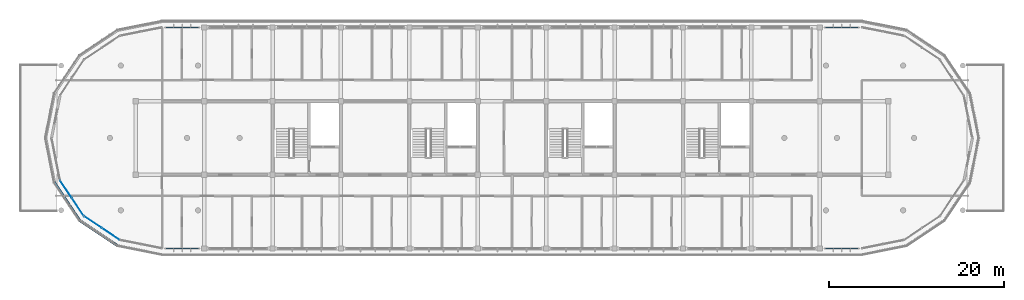
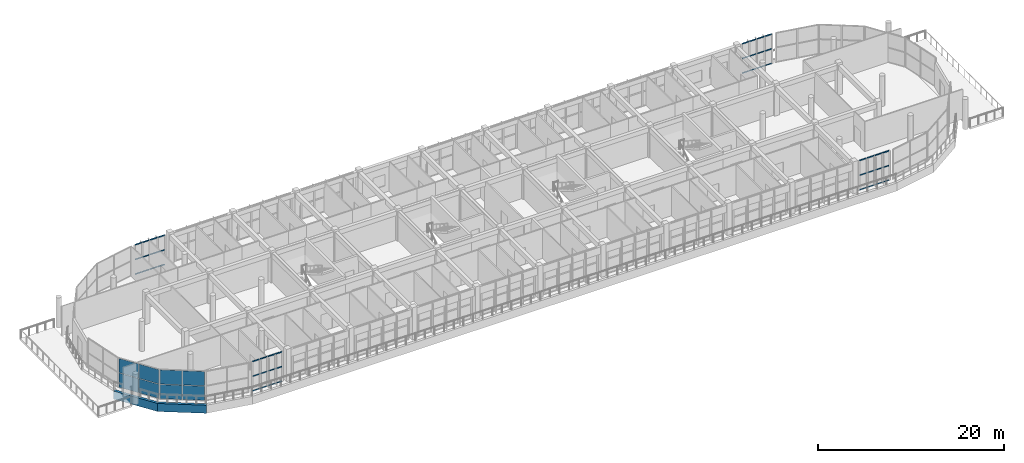
# One storey, part 35 of 56: 48 members, 10 plates, 6 elements without a shape of their own.
"""IFC4 building model written with IfcOpenShell, lengths in metres."""

from ifc_helpers import new_model, si_unit, direction, frame, origin, origin_2d, place, context, subcontext, project, spatial, polyline, rectangle, hollow_rectangle, outline, extrude, material, layer, layer_set, material_profile, profile_set, type_object, element, aggregate, save


model = new_model("IFC4")

# Units and contexts
model_context = context("Model", 3, precision=1e-05, world=origin(), true_north=direction((0.0, 1.0)))
body_context = subcontext(model_context, "Body", "Model", "MODEL_VIEW")
ifc_project = project(units=[si_unit("LENGTHUNIT", "METRE"), si_unit("AREAUNIT", "SQUARE_METRE"), si_unit("VOLUMEUNIT", "CUBIC_METRE"), si_unit("PLANEANGLEUNIT", "RADIAN"), si_unit("MASSUNIT", "GRAM", prefix="KILO")], contexts=[model_context])

# Site, building, storey
site_placement = place(None, origin())
site = spatial("IfcSite", under=ifc_project, at=site_placement, CompositionType="ELEMENT")
building_placement = place(site_placement, origin())
building = spatial("IfcBuilding", under=site, at=building_placement, Name="Zizhar Promenade General Hospital", CompositionType="ELEMENT")
storey_placement = place(building_placement, frame((0.0, 0.0, 26.39990234375)))
storey = spatial("IfcBuildingStorey", under=building, at=storey_placement, Name="L06", CompositionType="ELEMENT", Elevation=26.39990234375)

# Curtain wall, members
ifc_material_1 = material(Name="Anodised aluminium 6063-T6 and low-E glass", Category="aluminium")
ifc_layer_1 = layer(ifc_material_1, 0.159912109375)
ifc_layer_set_1 = layer_set([ifc_layer_1], Name="Anodised aluminium 6063-T6 and low-E glass")
curtain_wall_type_1 = type_object("IfcCurtainWallType", Name="CW-WARD-RIB", PredefinedType="NOTDEFINED", material=ifc_layer_set_1)
curtain_wall_1_placement = place(storey_placement, origin())
curtain_wall_1 = element("IfcCurtainWall", 1, at=curtain_wall_1_placement, inside=storey, type_object=curtain_wall_type_1, Name="Ward Ribbon Curtain Wall L06-8-0", PredefinedType="NOTDEFINED")
ifc_material_2 = material(Name="Anodised aluminium 6063-T6", Category="aluminium")
ifc_material_profile = material_profile(ifc_material_2, hollow_rectangle(XDim=0.06005859375, YDim=0.14990234375, WallThickness=0.00390625, at=origin_2d()))
ifc_profile_set = profile_set([ifc_material_profile], Name="Anodised aluminium 6063-T6")
member_type = type_object("IfcMemberType", Name="CWT-ALU-150x60", PredefinedType="USERDEFINED", material=ifc_profile_set)
member_1_placement = place(storey_placement, frame((34.659912109375, 25.199951171875, 0.030029296875), z_axis=(1.0, 0.0, 0.0), x_axis=(0.0, 1.0, 0.0)))
member_1 = element("IfcMember", 2, at=member_1_placement, type_object=member_type, Name="CW-13 transom 1.1", ObjectType="TRANSOM", PredefinedType="USERDEFINED", context=body_context, shape_type="SweptSolid", body=[
    extrude(hollow_rectangle(XDim=0.06005859375, YDim=0.14990234375, WallThickness=0.00390625, at=origin_2d()), origin(), (0.0, 0.0, 1.0), 0.840087890625),
])
member_2_placement = place(storey_placement, frame((34.659912109375, 25.199951171875, 1.9501953125), z_axis=(1.0, 0.0, 0.0), x_axis=(0.0, 1.0, 0.0)))
member_2 = element("IfcMember", 3, at=member_2_placement, type_object=member_type, Name="CW-13 transom 1.2", ObjectType="TRANSOM", PredefinedType="USERDEFINED", context=body_context, shape_type="SweptSolid", body=[
    extrude(hollow_rectangle(XDim=0.06005859375, YDim=0.14990234375, WallThickness=0.00390625, at=origin_2d()), origin(), (0.0, 0.0, 1.0), 0.840087890625),
])
member_3_placement = place(storey_placement, frame((34.659912109375, 25.199951171875, 3.8701171875), z_axis=(1.0, 0.0, 0.0), x_axis=(0.0, 1.0, 0.0)))
member_3 = element("IfcMember", 4, at=member_3_placement, type_object=member_type, Name="CW-13 transom 1.3", ObjectType="TRANSOM", PredefinedType="USERDEFINED", context=body_context, shape_type="SweptSolid", body=[
    extrude(hollow_rectangle(XDim=0.06005859375, YDim=0.14990234375, WallThickness=0.00390625, at=origin_2d()), origin(), (0.0, 0.0, 1.0), 0.840087890625),
])
member_4_placement = place(storey_placement, frame((35.580078125, 25.199951171875, 0.030029296875), z_axis=(1.0, 0.0, 0.0), x_axis=(0.0, 1.0, 0.0)))
member_4 = element("IfcMember", 5, at=member_4_placement, type_object=member_type, Name="CW-13 transom 2.1", ObjectType="TRANSOM", PredefinedType="USERDEFINED", context=body_context, shape_type="SweptSolid", body=[
    extrude(hollow_rectangle(XDim=0.06005859375, YDim=0.14990234375, WallThickness=0.00390625, at=origin_2d()), origin(), (0.0, 0.0, 1.0), 0.8798828125),
])
member_5_placement = place(storey_placement, frame((35.580078125, 25.199951171875, 1.9501953125), z_axis=(1.0, 0.0, 0.0), x_axis=(0.0, 1.0, 0.0)))
member_5 = element("IfcMember", 6, at=member_5_placement, type_object=member_type, Name="CW-13 transom 2.2", ObjectType="TRANSOM", PredefinedType="USERDEFINED", context=body_context, shape_type="SweptSolid", body=[
    extrude(hollow_rectangle(XDim=0.06005859375, YDim=0.14990234375, WallThickness=0.00390625, at=origin_2d()), origin(), (0.0, 0.0, 1.0), 0.8798828125),
])
member_6_placement = place(storey_placement, frame((35.580078125, 25.199951171875, 3.8701171875), z_axis=(1.0, 0.0, 0.0), x_axis=(0.0, 1.0, 0.0)))
member_6 = element("IfcMember", 7, at=member_6_placement, type_object=member_type, Name="CW-13 transom 2.3", ObjectType="TRANSOM", PredefinedType="USERDEFINED", context=body_context, shape_type="SweptSolid", body=[
    extrude(hollow_rectangle(XDim=0.06005859375, YDim=0.14990234375, WallThickness=0.00390625, at=origin_2d()), origin(), (0.0, 0.0, 1.0), 0.8798828125),
])
member_7_placement = place(storey_placement, frame((36.5400390625, 25.199951171875, 0.030029296875), z_axis=(1.0, 0.0, 0.0), x_axis=(0.0, 1.0, 0.0)))
member_7 = element("IfcMember", 8, at=member_7_placement, type_object=member_type, Name="CW-13 transom 3.1", ObjectType="TRANSOM", PredefinedType="USERDEFINED", context=body_context, shape_type="SweptSolid", body=[
    extrude(hollow_rectangle(XDim=0.06005859375, YDim=0.14990234375, WallThickness=0.00390625, at=origin_2d()), origin(), (0.0, 0.0, 1.0), 0.8798828125),
])
member_8_placement = place(storey_placement, frame((36.5400390625, 25.199951171875, 1.9501953125), z_axis=(1.0, 0.0, 0.0), x_axis=(0.0, 1.0, 0.0)))
member_8 = element("IfcMember", 9, at=member_8_placement, type_object=member_type, Name="CW-13 transom 3.2", ObjectType="TRANSOM", PredefinedType="USERDEFINED", context=body_context, shape_type="SweptSolid", body=[
    extrude(hollow_rectangle(XDim=0.06005859375, YDim=0.14990234375, WallThickness=0.00390625, at=origin_2d()), origin(), (0.0, 0.0, 1.0), 0.8798828125),
])
member_9_placement = place(storey_placement, frame((36.5400390625, 25.199951171875, 3.8701171875), z_axis=(1.0, 0.0, 0.0), x_axis=(0.0, 1.0, 0.0)))
member_9 = element("IfcMember", 10, at=member_9_placement, type_object=member_type, Name="CW-13 transom 3.3", ObjectType="TRANSOM", PredefinedType="USERDEFINED", context=body_context, shape_type="SweptSolid", body=[
    extrude(hollow_rectangle(XDim=0.06005859375, YDim=0.14990234375, WallThickness=0.00390625, at=origin_2d()), origin(), (0.0, 0.0, 1.0), 0.8798828125),
])
member_10_placement = place(storey_placement, frame((37.5, 25.199951171875, 0.030029296875), z_axis=(1.0, 0.0, 0.0), x_axis=(0.0, 1.0, 0.0)))
member_10 = element("IfcMember", 11, at=member_10_placement, type_object=member_type, Name="CW-13 transom 4.1", ObjectType="TRANSOM", PredefinedType="USERDEFINED", context=body_context, shape_type="SweptSolid", body=[
    extrude(hollow_rectangle(XDim=0.06005859375, YDim=0.14990234375, WallThickness=0.00390625, at=origin_2d()), origin(), (0.0, 0.0, 1.0), 0.840087890625),
])
member_11_placement = place(storey_placement, frame((37.5, 25.199951171875, 1.9501953125), z_axis=(1.0, 0.0, 0.0), x_axis=(0.0, 1.0, 0.0)))
member_11 = element("IfcMember", 12, at=member_11_placement, type_object=member_type, Name="CW-13 transom 4.2", ObjectType="TRANSOM", PredefinedType="USERDEFINED", context=body_context, shape_type="SweptSolid", body=[
    extrude(hollow_rectangle(XDim=0.06005859375, YDim=0.14990234375, WallThickness=0.00390625, at=origin_2d()), origin(), (0.0, 0.0, 1.0), 0.840087890625),
])
member_12_placement = place(storey_placement, frame((37.5, 25.199951171875, 3.8701171875), z_axis=(1.0, 0.0, 0.0), x_axis=(0.0, 1.0, 0.0)))
member_12 = element("IfcMember", 13, at=member_12_placement, type_object=member_type, Name="CW-13 transom 4.3", ObjectType="TRANSOM", PredefinedType="USERDEFINED", context=body_context, shape_type="SweptSolid", body=[
    extrude(hollow_rectangle(XDim=0.06005859375, YDim=0.14990234375, WallThickness=0.00390625, at=origin_2d()), origin(), (0.0, 0.0, 1.0), 0.840087890625),
])
aggregate(curtain_wall_1, [member_1, member_2, member_3, member_4, member_5, member_6, member_7, member_8, member_9, member_10, member_11, member_12])

curtain_wall_2_placement = place(storey_placement, origin())
curtain_wall_2 = element("IfcCurtainWall", 14, at=curtain_wall_2_placement, inside=storey, type_object=curtain_wall_type_1, Name="Ward Ribbon Curtain Wall L06-8-10", PredefinedType="NOTDEFINED")
member_13_placement = place(storey_placement, frame((109.860107421875, 25.199951171875, 0.030029296875), z_axis=(1.0, 0.0, 0.0), x_axis=(0.0, 1.0, 0.0)))
member_13 = element("IfcMember", 15, at=member_13_placement, type_object=member_type, Name="CW-13 transom 1.1", ObjectType="TRANSOM", PredefinedType="USERDEFINED", context=body_context, shape_type="SweptSolid", body=[
    extrude(hollow_rectangle(XDim=0.06005859375, YDim=0.14990234375, WallThickness=0.00390625, at=origin_2d()), origin(), (0.0, 0.0, 1.0), 0.83984375),
])
member_14_placement = place(storey_placement, frame((109.860107421875, 25.199951171875, 1.9501953125), z_axis=(1.0, 0.0, 0.0), x_axis=(0.0, 1.0, 0.0)))
member_14 = element("IfcMember", 16, at=member_14_placement, type_object=member_type, Name="CW-13 transom 1.2", ObjectType="TRANSOM", PredefinedType="USERDEFINED", context=body_context, shape_type="SweptSolid", body=[
    extrude(hollow_rectangle(XDim=0.06005859375, YDim=0.14990234375, WallThickness=0.00390625, at=origin_2d()), origin(), (0.0, 0.0, 1.0), 0.83984375),
])
member_15_placement = place(storey_placement, frame((109.860107421875, 25.199951171875, 3.8701171875), z_axis=(1.0, 0.0, 0.0), x_axis=(0.0, 1.0, 0.0)))
member_15 = element("IfcMember", 17, at=member_15_placement, type_object=member_type, Name="CW-13 transom 1.3", ObjectType="TRANSOM", PredefinedType="USERDEFINED", context=body_context, shape_type="SweptSolid", body=[
    extrude(hollow_rectangle(XDim=0.06005859375, YDim=0.14990234375, WallThickness=0.00390625, at=origin_2d()), origin(), (0.0, 0.0, 1.0), 0.83984375),
])
member_16_placement = place(storey_placement, frame((110.780029296875, 25.199951171875, 0.030029296875), z_axis=(1.0, 0.0, 0.0), x_axis=(0.0, 1.0, 0.0)))
member_16 = element("IfcMember", 18, at=member_16_placement, type_object=member_type, Name="CW-13 transom 2.1", ObjectType="TRANSOM", PredefinedType="USERDEFINED", context=body_context, shape_type="SweptSolid", body=[
    extrude(hollow_rectangle(XDim=0.06005859375, YDim=0.14990234375, WallThickness=0.00390625, at=origin_2d()), origin(), (0.0, 0.0, 1.0), 0.8798828125),
])
member_17_placement = place(storey_placement, frame((110.780029296875, 25.199951171875, 1.9501953125), z_axis=(1.0, 0.0, 0.0), x_axis=(0.0, 1.0, 0.0)))
member_17 = element("IfcMember", 19, at=member_17_placement, type_object=member_type, Name="CW-13 transom 2.2", ObjectType="TRANSOM", PredefinedType="USERDEFINED", context=body_context, shape_type="SweptSolid", body=[
    extrude(hollow_rectangle(XDim=0.06005859375, YDim=0.14990234375, WallThickness=0.00390625, at=origin_2d()), origin(), (0.0, 0.0, 1.0), 0.8798828125),
])
member_18_placement = place(storey_placement, frame((110.780029296875, 25.199951171875, 3.8701171875), z_axis=(1.0, 0.0, 0.0), x_axis=(0.0, 1.0, 0.0)))
member_18 = element("IfcMember", 20, at=member_18_placement, type_object=member_type, Name="CW-13 transom 2.3", ObjectType="TRANSOM", PredefinedType="USERDEFINED", context=body_context, shape_type="SweptSolid", body=[
    extrude(hollow_rectangle(XDim=0.06005859375, YDim=0.14990234375, WallThickness=0.00390625, at=origin_2d()), origin(), (0.0, 0.0, 1.0), 0.8798828125),
])
member_19_placement = place(storey_placement, frame((111.739990234375, 25.199951171875, 0.030029296875), z_axis=(1.0, 0.0, 0.0), x_axis=(0.0, 1.0, 0.0)))
member_19 = element("IfcMember", 21, at=member_19_placement, type_object=member_type, Name="CW-13 transom 3.1", ObjectType="TRANSOM", PredefinedType="USERDEFINED", context=body_context, shape_type="SweptSolid", body=[
    extrude(hollow_rectangle(XDim=0.06005859375, YDim=0.14990234375, WallThickness=0.00390625, at=origin_2d()), origin(), (0.0, 0.0, 1.0), 0.880126953125),
])
member_20_placement = place(storey_placement, frame((111.739990234375, 25.199951171875, 1.9501953125), z_axis=(1.0, 0.0, 0.0), x_axis=(0.0, 1.0, 0.0)))
member_20 = element("IfcMember", 22, at=member_20_placement, type_object=member_type, Name="CW-13 transom 3.2", ObjectType="TRANSOM", PredefinedType="USERDEFINED", context=body_context, shape_type="SweptSolid", body=[
    extrude(hollow_rectangle(XDim=0.06005859375, YDim=0.14990234375, WallThickness=0.00390625, at=origin_2d()), origin(), (0.0, 0.0, 1.0), 0.880126953125),
])
member_21_placement = place(storey_placement, frame((111.739990234375, 25.199951171875, 3.8701171875), z_axis=(1.0, 0.0, 0.0), x_axis=(0.0, 1.0, 0.0)))
member_21 = element("IfcMember", 23, at=member_21_placement, type_object=member_type, Name="CW-13 transom 3.3", ObjectType="TRANSOM", PredefinedType="USERDEFINED", context=body_context, shape_type="SweptSolid", body=[
    extrude(hollow_rectangle(XDim=0.06005859375, YDim=0.14990234375, WallThickness=0.00390625, at=origin_2d()), origin(), (0.0, 0.0, 1.0), 0.880126953125),
])
member_22_placement = place(storey_placement, frame((112.699951171875, 25.199951171875, 0.030029296875), z_axis=(1.0, 0.0, 0.0), x_axis=(0.0, 1.0, 0.0)))
member_22 = element("IfcMember", 24, at=member_22_placement, type_object=member_type, Name="CW-13 transom 4.1", ObjectType="TRANSOM", PredefinedType="USERDEFINED", context=body_context, shape_type="SweptSolid", body=[
    extrude(hollow_rectangle(XDim=0.06005859375, YDim=0.14990234375, WallThickness=0.00390625, at=origin_2d()), origin(), (0.0, 0.0, 1.0), 0.840087890625),
])
member_23_placement = place(storey_placement, frame((112.699951171875, 25.199951171875, 1.9501953125), z_axis=(1.0, 0.0, 0.0), x_axis=(0.0, 1.0, 0.0)))
member_23 = element("IfcMember", 25, at=member_23_placement, type_object=member_type, Name="CW-13 transom 4.2", ObjectType="TRANSOM", PredefinedType="USERDEFINED", context=body_context, shape_type="SweptSolid", body=[
    extrude(hollow_rectangle(XDim=0.06005859375, YDim=0.14990234375, WallThickness=0.00390625, at=origin_2d()), origin(), (0.0, 0.0, 1.0), 0.840087890625),
])
member_24_placement = place(storey_placement, frame((112.699951171875, 25.199951171875, 3.8701171875), z_axis=(1.0, 0.0, 0.0), x_axis=(0.0, 1.0, 0.0)))
member_24 = element("IfcMember", 26, at=member_24_placement, type_object=member_type, Name="CW-13 transom 4.3", ObjectType="TRANSOM", PredefinedType="USERDEFINED", context=body_context, shape_type="SweptSolid", body=[
    extrude(hollow_rectangle(XDim=0.06005859375, YDim=0.14990234375, WallThickness=0.00390625, at=origin_2d()), origin(), (0.0, 0.0, 1.0), 0.840087890625),
])
aggregate(curtain_wall_2, [member_13, member_14, member_15, member_16, member_17, member_18, member_19, member_20, member_21, member_22, member_23, member_24])

curtain_wall_3_placement = place(storey_placement, origin())
curtain_wall_3 = element("IfcCurtainWall", 27, at=curtain_wall_3_placement, inside=storey, type_object=curtain_wall_type_1, Name="Ward Ribbon Curtain Wall L06-17-0", PredefinedType="NOTDEFINED")
member_25_placement = place(storey_placement, frame((113.5400390625, 0.0, 0.030029296875), z_axis=(-1.0, 0.0, 0.0), x_axis=(0.0, -1.0, 0.0)))
member_25 = element("IfcMember", 28, at=member_25_placement, type_object=member_type, Name="CW-13 transom 1.1", ObjectType="TRANSOM", PredefinedType="USERDEFINED", context=body_context, shape_type="SweptSolid", body=[
    extrude(hollow_rectangle(XDim=0.06005859375, YDim=0.14990234375, WallThickness=0.00390625, at=origin_2d()), origin(), (0.0, 0.0, 1.0), 0.840087890625),
])
member_26_placement = place(storey_placement, frame((113.5400390625, 0.0, 1.9501953125), z_axis=(-1.0, 0.0, 0.0), x_axis=(0.0, -1.0, 0.0)))
member_26 = element("IfcMember", 29, at=member_26_placement, type_object=member_type, Name="CW-13 transom 1.2", ObjectType="TRANSOM", PredefinedType="USERDEFINED", context=body_context, shape_type="SweptSolid", body=[
    extrude(hollow_rectangle(XDim=0.06005859375, YDim=0.14990234375, WallThickness=0.00390625, at=origin_2d()), origin(), (0.0, 0.0, 1.0), 0.840087890625),
])
member_27_placement = place(storey_placement, frame((113.5400390625, 0.0, 3.8701171875), z_axis=(-1.0, 0.0, 0.0), x_axis=(0.0, -1.0, 0.0)))
member_27 = element("IfcMember", 30, at=member_27_placement, type_object=member_type, Name="CW-13 transom 1.3", ObjectType="TRANSOM", PredefinedType="USERDEFINED", context=body_context, shape_type="SweptSolid", body=[
    extrude(hollow_rectangle(XDim=0.06005859375, YDim=0.14990234375, WallThickness=0.00390625, at=origin_2d()), origin(), (0.0, 0.0, 1.0), 0.840087890625),
])
member_28_placement = place(storey_placement, frame((112.6201171875, 0.0, 0.030029296875), z_axis=(-1.0, 0.0, 0.0), x_axis=(0.0, -1.0, 0.0)))
member_28 = element("IfcMember", 31, at=member_28_placement, type_object=member_type, Name="CW-13 transom 2.1", ObjectType="TRANSOM", PredefinedType="USERDEFINED", context=body_context, shape_type="SweptSolid", body=[
    extrude(hollow_rectangle(XDim=0.06005859375, YDim=0.14990234375, WallThickness=0.00390625, at=origin_2d()), origin(), (0.0, 0.0, 1.0), 0.880126953125),
])
member_29_placement = place(storey_placement, frame((112.6201171875, 0.0, 1.9501953125), z_axis=(-1.0, 0.0, 0.0), x_axis=(0.0, -1.0, 0.0)))
member_29 = element("IfcMember", 32, at=member_29_placement, type_object=member_type, Name="CW-13 transom 2.2", ObjectType="TRANSOM", PredefinedType="USERDEFINED", context=body_context, shape_type="SweptSolid", body=[
    extrude(hollow_rectangle(XDim=0.06005859375, YDim=0.14990234375, WallThickness=0.00390625, at=origin_2d()), origin(), (0.0, 0.0, 1.0), 0.880126953125),
])
member_30_placement = place(storey_placement, frame((112.6201171875, 0.0, 3.8701171875), z_axis=(-1.0, 0.0, 0.0), x_axis=(0.0, -1.0, 0.0)))
member_30 = element("IfcMember", 33, at=member_30_placement, type_object=member_type, Name="CW-13 transom 2.3", ObjectType="TRANSOM", PredefinedType="USERDEFINED", context=body_context, shape_type="SweptSolid", body=[
    extrude(hollow_rectangle(XDim=0.06005859375, YDim=0.14990234375, WallThickness=0.00390625, at=origin_2d()), origin(), (0.0, 0.0, 1.0), 0.880126953125),
])
member_31_placement = place(storey_placement, frame((111.659912109375, 0.0, 0.030029296875), z_axis=(-1.0, 0.0, 0.0), x_axis=(0.0, -1.0, 0.0)))
member_31 = element("IfcMember", 34, at=member_31_placement, type_object=member_type, Name="CW-13 transom 3.1", ObjectType="TRANSOM", PredefinedType="USERDEFINED", context=body_context, shape_type="SweptSolid", body=[
    extrude(hollow_rectangle(XDim=0.06005859375, YDim=0.14990234375, WallThickness=0.00390625, at=origin_2d()), origin(), (0.0, 0.0, 1.0), 0.8798828125),
])
member_32_placement = place(storey_placement, frame((111.659912109375, 0.0, 1.9501953125), z_axis=(-1.0, 0.0, 0.0), x_axis=(0.0, -1.0, 0.0)))
member_32 = element("IfcMember", 35, at=member_32_placement, type_object=member_type, Name="CW-13 transom 3.2", ObjectType="TRANSOM", PredefinedType="USERDEFINED", context=body_context, shape_type="SweptSolid", body=[
    extrude(hollow_rectangle(XDim=0.06005859375, YDim=0.14990234375, WallThickness=0.00390625, at=origin_2d()), origin(), (0.0, 0.0, 1.0), 0.8798828125),
])
member_33_placement = place(storey_placement, frame((111.659912109375, 0.0, 3.8701171875), z_axis=(-1.0, 0.0, 0.0), x_axis=(0.0, -1.0, 0.0)))
member_33 = element("IfcMember", 36, at=member_33_placement, type_object=member_type, Name="CW-13 transom 3.3", ObjectType="TRANSOM", PredefinedType="USERDEFINED", context=body_context, shape_type="SweptSolid", body=[
    extrude(hollow_rectangle(XDim=0.06005859375, YDim=0.14990234375, WallThickness=0.00390625, at=origin_2d()), origin(), (0.0, 0.0, 1.0), 0.8798828125),
])
member_34_placement = place(storey_placement, frame((110.699951171875, 0.0, 0.030029296875), z_axis=(-1.0, 0.0, 0.0), x_axis=(0.0, -1.0, 0.0)))
member_34 = element("IfcMember", 37, at=member_34_placement, type_object=member_type, Name="CW-13 transom 4.1", ObjectType="TRANSOM", PredefinedType="USERDEFINED", context=body_context, shape_type="SweptSolid", body=[
    extrude(hollow_rectangle(XDim=0.06005859375, YDim=0.14990234375, WallThickness=0.00390625, at=origin_2d()), origin(), (0.0, 0.0, 1.0), 0.83984375),
])
member_35_placement = place(storey_placement, frame((110.699951171875, 0.0, 1.9501953125), z_axis=(-1.0, 0.0, 0.0), x_axis=(0.0, -1.0, 0.0)))
member_35 = element("IfcMember", 38, at=member_35_placement, type_object=member_type, Name="CW-13 transom 4.2", ObjectType="TRANSOM", PredefinedType="USERDEFINED", context=body_context, shape_type="SweptSolid", body=[
    extrude(hollow_rectangle(XDim=0.06005859375, YDim=0.14990234375, WallThickness=0.00390625, at=origin_2d()), origin(), (0.0, 0.0, 1.0), 0.83984375),
])
member_36_placement = place(storey_placement, frame((110.699951171875, 0.0, 3.8701171875), z_axis=(-1.0, 0.0, 0.0), x_axis=(0.0, -1.0, 0.0)))
member_36 = element("IfcMember", 39, at=member_36_placement, type_object=member_type, Name="CW-13 transom 4.3", ObjectType="TRANSOM", PredefinedType="USERDEFINED", context=body_context, shape_type="SweptSolid", body=[
    extrude(hollow_rectangle(XDim=0.06005859375, YDim=0.14990234375, WallThickness=0.00390625, at=origin_2d()), origin(), (0.0, 0.0, 1.0), 0.83984375),
])
aggregate(curtain_wall_3, [member_25, member_26, member_27, member_28, member_29, member_30, member_31, member_32, member_33, member_34, member_35, member_36])

curtain_wall_4_placement = place(storey_placement, origin())
curtain_wall_4 = element("IfcCurtainWall", 40, at=curtain_wall_4_placement, inside=storey, type_object=curtain_wall_type_1, Name="Ward Ribbon Curtain Wall L06-17-10", PredefinedType="NOTDEFINED")
member_37_placement = place(storey_placement, frame((38.340087890625, 0.0, 0.030029296875), z_axis=(-1.0, 0.0, 0.0), x_axis=(0.0, -1.0, 0.0)))
member_37 = element("IfcMember", 41, at=member_37_placement, type_object=member_type, Name="CW-13 transom 1.1", ObjectType="TRANSOM", PredefinedType="USERDEFINED", context=body_context, shape_type="SweptSolid", body=[
    extrude(hollow_rectangle(XDim=0.06005859375, YDim=0.14990234375, WallThickness=0.00390625, at=origin_2d()), origin(), (0.0, 0.0, 1.0), 0.840087890625),
])
member_38_placement = place(storey_placement, frame((38.340087890625, 0.0, 1.9501953125), z_axis=(-1.0, 0.0, 0.0), x_axis=(0.0, -1.0, 0.0)))
member_38 = element("IfcMember", 42, at=member_38_placement, type_object=member_type, Name="CW-13 transom 1.2", ObjectType="TRANSOM", PredefinedType="USERDEFINED", context=body_context, shape_type="SweptSolid", body=[
    extrude(hollow_rectangle(XDim=0.06005859375, YDim=0.14990234375, WallThickness=0.00390625, at=origin_2d()), origin(), (0.0, 0.0, 1.0), 0.840087890625),
])
member_39_placement = place(storey_placement, frame((38.340087890625, 0.0, 3.8701171875), z_axis=(-1.0, 0.0, 0.0), x_axis=(0.0, -1.0, 0.0)))
member_39 = element("IfcMember", 43, at=member_39_placement, type_object=member_type, Name="CW-13 transom 1.3", ObjectType="TRANSOM", PredefinedType="USERDEFINED", context=body_context, shape_type="SweptSolid", body=[
    extrude(hollow_rectangle(XDim=0.06005859375, YDim=0.14990234375, WallThickness=0.00390625, at=origin_2d()), origin(), (0.0, 0.0, 1.0), 0.840087890625),
])
member_40_placement = place(storey_placement, frame((37.419921875, 0.0, 0.030029296875), z_axis=(-1.0, 0.0, 0.0), x_axis=(0.0, -1.0, 0.0)))
member_40 = element("IfcMember", 44, at=member_40_placement, type_object=member_type, Name="CW-13 transom 2.1", ObjectType="TRANSOM", PredefinedType="USERDEFINED", context=body_context, shape_type="SweptSolid", body=[
    extrude(hollow_rectangle(XDim=0.06005859375, YDim=0.14990234375, WallThickness=0.00390625, at=origin_2d()), origin(), (0.0, 0.0, 1.0), 0.8798828125),
])
member_41_placement = place(storey_placement, frame((37.419921875, 0.0, 1.9501953125), z_axis=(-1.0, 0.0, 0.0), x_axis=(0.0, -1.0, 0.0)))
member_41 = element("IfcMember", 45, at=member_41_placement, type_object=member_type, Name="CW-13 transom 2.2", ObjectType="TRANSOM", PredefinedType="USERDEFINED", context=body_context, shape_type="SweptSolid", body=[
    extrude(hollow_rectangle(XDim=0.06005859375, YDim=0.14990234375, WallThickness=0.00390625, at=origin_2d()), origin(), (0.0, 0.0, 1.0), 0.8798828125),
])
member_42_placement = place(storey_placement, frame((37.419921875, 0.0, 3.8701171875), z_axis=(-1.0, 0.0, 0.0), x_axis=(0.0, -1.0, 0.0)))
member_42 = element("IfcMember", 46, at=member_42_placement, type_object=member_type, Name="CW-13 transom 2.3", ObjectType="TRANSOM", PredefinedType="USERDEFINED", context=body_context, shape_type="SweptSolid", body=[
    extrude(hollow_rectangle(XDim=0.06005859375, YDim=0.14990234375, WallThickness=0.00390625, at=origin_2d()), origin(), (0.0, 0.0, 1.0), 0.8798828125),
])
member_43_placement = place(storey_placement, frame((36.4599609375, 0.0, 0.030029296875), z_axis=(-1.0, 0.0, 0.0), x_axis=(0.0, -1.0, 0.0)))
member_43 = element("IfcMember", 47, at=member_43_placement, type_object=member_type, Name="CW-13 transom 3.1", ObjectType="TRANSOM", PredefinedType="USERDEFINED", context=body_context, shape_type="SweptSolid", body=[
    extrude(hollow_rectangle(XDim=0.06005859375, YDim=0.14990234375, WallThickness=0.00390625, at=origin_2d()), origin(), (0.0, 0.0, 1.0), 0.8798828125),
])
member_44_placement = place(storey_placement, frame((36.4599609375, 0.0, 1.9501953125), z_axis=(-1.0, 0.0, 0.0), x_axis=(0.0, -1.0, 0.0)))
member_44 = element("IfcMember", 48, at=member_44_placement, type_object=member_type, Name="CW-13 transom 3.2", ObjectType="TRANSOM", PredefinedType="USERDEFINED", context=body_context, shape_type="SweptSolid", body=[
    extrude(hollow_rectangle(XDim=0.06005859375, YDim=0.14990234375, WallThickness=0.00390625, at=origin_2d()), origin(), (0.0, 0.0, 1.0), 0.8798828125),
])
member_45_placement = place(storey_placement, frame((36.4599609375, 0.0, 3.8701171875), z_axis=(-1.0, 0.0, 0.0), x_axis=(0.0, -1.0, 0.0)))
member_45 = element("IfcMember", 49, at=member_45_placement, type_object=member_type, Name="CW-13 transom 3.3", ObjectType="TRANSOM", PredefinedType="USERDEFINED", context=body_context, shape_type="SweptSolid", body=[
    extrude(hollow_rectangle(XDim=0.06005859375, YDim=0.14990234375, WallThickness=0.00390625, at=origin_2d()), origin(), (0.0, 0.0, 1.0), 0.8798828125),
])
member_46_placement = place(storey_placement, frame((35.5, 0.0, 0.030029296875), z_axis=(-1.0, 0.0, 0.0), x_axis=(0.0, -1.0, 0.0)))
member_46 = element("IfcMember", 50, at=member_46_placement, type_object=member_type, Name="CW-13 transom 4.1", ObjectType="TRANSOM", PredefinedType="USERDEFINED", context=body_context, shape_type="SweptSolid", body=[
    extrude(hollow_rectangle(XDim=0.06005859375, YDim=0.14990234375, WallThickness=0.00390625, at=origin_2d()), origin(), (0.0, 0.0, 1.0), 0.840087890625),
])
member_47_placement = place(storey_placement, frame((35.5, 0.0, 1.9501953125), z_axis=(-1.0, 0.0, 0.0), x_axis=(0.0, -1.0, 0.0)))
member_47 = element("IfcMember", 51, at=member_47_placement, type_object=member_type, Name="CW-13 transom 4.2", ObjectType="TRANSOM", PredefinedType="USERDEFINED", context=body_context, shape_type="SweptSolid", body=[
    extrude(hollow_rectangle(XDim=0.06005859375, YDim=0.14990234375, WallThickness=0.00390625, at=origin_2d()), origin(), (0.0, 0.0, 1.0), 0.840087890625),
])
member_48_placement = place(storey_placement, frame((35.5, 0.0, 3.8701171875), z_axis=(-1.0, 0.0, 0.0), x_axis=(0.0, -1.0, 0.0)))
member_48 = element("IfcMember", 52, at=member_48_placement, type_object=member_type, Name="CW-13 transom 4.3", ObjectType="TRANSOM", PredefinedType="USERDEFINED", context=body_context, shape_type="SweptSolid", body=[
    extrude(hollow_rectangle(XDim=0.06005859375, YDim=0.14990234375, WallThickness=0.00390625, at=origin_2d()), origin(), (0.0, 0.0, 1.0), 0.840087890625),
])
aggregate(curtain_wall_4, [member_37, member_38, member_39, member_40, member_41, member_42, member_43, member_44, member_45, member_46, member_47, member_48])

# Curtain wall, plates
ifc_material_3 = material(Name="Anodised aluminium 6063-T6 and low-E glass", Category="aluminium")
ifc_layer_2 = layer(ifc_material_3, 0.159912109375)
ifc_layer_set_2 = layer_set([ifc_layer_2], Name="Anodised aluminium 6063-T6 and low-E glass")
curtain_wall_type_2 = type_object("IfcCurtainWallType", Name="CW-WARD-ARC", PredefinedType="NOTDEFINED", material=ifc_layer_set_2)
curtain_wall_5_placement = place(storey_placement, origin())
curtain_wall_5 = element("IfcCurtainWall", 53, at=curtain_wall_5_placement, inside=storey, type_object=curtain_wall_type_2, Name="Ward Semicircular End Glazing L06-15", PredefinedType="NOTDEFINED")
ifc_material_4 = material(Name="Low-E solar-control glass", Category="glass")
ifc_layer_3 = layer(ifc_material_4, 0.031982421875)
ifc_layer_set_3 = layer_set([ifc_layer_3], Name="Low-E solar-control glass")
plate_type_1 = type_object("IfcPlateType", Name="CWP-GLZ-32", PredefinedType="CURTAIN_PANEL", material=ifc_layer_set_3)
plate_1_placement = place(storey_placement, frame((24.599365234375, 4.724853515625, 0.06005859375), z_axis=(0.0, 0.0, 1.0), x_axis=(-0.555582352095, 0.831461514468, 0.0)))
plate_1 = element("IfcPlate", 54, at=plate_1_placement, type_object=plate_type_1, Name="CW-12 panel 1.1", PredefinedType="CURTAIN_PANEL", context=body_context, shape_type="SweptSolid", body=[
    extrude(rectangle(XDim=2.3681640625, YDim=0.031982421875, at=origin_2d()), origin(), (0.0, 0.0, 1.0), 1.860107421875),
])
plate_2_placement = place(storey_placement, frame((24.599365234375, 4.724853515625, 1.97998046875), z_axis=(0.0, 0.0, 1.0), x_axis=(-0.555582352095, 0.831461514468, 0.0)))
plate_2 = element("IfcPlate", 55, at=plate_2_placement, type_object=plate_type_1, Name="CW-12 panel 1.2", PredefinedType="CURTAIN_PANEL", context=body_context, shape_type="SweptSolid", body=[
    extrude(rectangle(XDim=2.3681640625, YDim=0.031982421875, at=origin_2d()), origin(), (0.0, 0.0, 1.0), 1.860107421875),
])
plate_3_placement = place(storey_placement, frame((23.250244140625, 6.743896484375, 0.06005859375), z_axis=(0.0, 0.0, 1.0), x_axis=(-0.555582352095, 0.831461514468, 0.0)))
plate_3 = element("IfcPlate", 56, at=plate_3_placement, type_object=plate_type_1, Name="CW-12 panel 2.1", PredefinedType="CURTAIN_PANEL", context=body_context, shape_type="SweptSolid", body=[
    extrude(rectangle(XDim=2.3681640625, YDim=0.031982421875, at=origin_2d()), origin(), (0.0, 0.0, 1.0), 1.860107421875),
])
plate_4_placement = place(storey_placement, frame((23.250244140625, 6.743896484375, 1.97998046875), z_axis=(0.0, 0.0, 1.0), x_axis=(-0.555582352095, 0.831461514468, 0.0)))
plate_4 = element("IfcPlate", 57, at=plate_4_placement, type_object=plate_type_1, Name="CW-12 panel 2.2", PredefinedType="CURTAIN_PANEL", context=body_context, shape_type="SweptSolid", body=[
    extrude(rectangle(XDim=2.3681640625, YDim=0.031982421875, at=origin_2d()), origin(), (0.0, 0.0, 1.0), 1.860107421875),
])
aggregate(curtain_wall_5, [plate_1, plate_2, plate_3, plate_4])

curtain_wall_6_placement = place(storey_placement, origin())
curtain_wall_6 = element("IfcCurtainWall", 58, at=curtain_wall_6_placement, inside=storey, type_object=curtain_wall_type_2, Name="Ward Semicircular End Glazing L06-16", PredefinedType="NOTDEFINED")
plate_5_placement = place(storey_placement, frame((28.34375, 1.650390625, 0.06005859375), z_axis=(0.0, 0.0, 1.0), x_axis=(-0.831461514468, 0.555582352095, 0.0)))
plate_5 = element("IfcPlate", 59, at=plate_5_placement, type_object=plate_type_1, Name="CW-12 panel 1.1", PredefinedType="CURTAIN_PANEL", context=body_context, shape_type="SweptSolid", body=[
    extrude(rectangle(XDim=2.3681640625, YDim=0.031982421875, at=origin_2d()), origin(), (0.0, 0.0, 1.0), 1.860107421875),
])
plate_6_placement = place(storey_placement, frame((28.34375, 1.650390625, 1.97998046875), z_axis=(0.0, 0.0, 1.0), x_axis=(-0.831461514468, 0.555582352095, 0.0)))
plate_6 = element("IfcPlate", 60, at=plate_6_placement, type_object=plate_type_1, Name="CW-12 panel 1.2", PredefinedType="CURTAIN_PANEL", context=body_context, shape_type="SweptSolid", body=[
    extrude(rectangle(XDim=2.3681640625, YDim=0.031982421875, at=origin_2d()), origin(), (0.0, 0.0, 1.0), 1.860107421875),
])
plate_7_placement = place(storey_placement, frame((26.324951171875, 2.999267578125, 0.06005859375), z_axis=(0.0, 0.0, 1.0), x_axis=(-0.831461514468, 0.555582352095, 0.0)))
plate_7 = element("IfcPlate", 61, at=plate_7_placement, type_object=plate_type_1, Name="CW-12 panel 2.1", PredefinedType="CURTAIN_PANEL", context=body_context, shape_type="SweptSolid", body=[
    extrude(rectangle(XDim=2.3681640625, YDim=0.031982421875, at=origin_2d()), origin(), (0.0, 0.0, 1.0), 1.860107421875),
])
plate_8_placement = place(storey_placement, frame((26.324951171875, 2.999267578125, 1.97998046875), z_axis=(0.0, 0.0, 1.0), x_axis=(-0.831461514468, 0.555582352095, 0.0)))
plate_8 = element("IfcPlate", 62, at=plate_8_placement, type_object=plate_type_1, Name="CW-12 panel 2.2", PredefinedType="CURTAIN_PANEL", context=body_context, shape_type="SweptSolid", body=[
    extrude(rectangle(XDim=2.3681640625, YDim=0.031982421875, at=origin_2d()), origin(), (0.0, 0.0, 1.0), 1.860107421875),
])
aggregate(curtain_wall_6, [plate_5, plate_6, plate_7, plate_8])

# Plates
ifc_material_5 = material(Name="Precast concrete C40/50", Category="concrete")
ifc_layer_4 = layer(ifc_material_5, 0.300048828125)
ifc_layer_set_4 = layer_set([ifc_layer_4], Name="Precast concrete C40/50")
plate_type_2 = type_object("IfcPlateType", Name="PL-PC-BAND1100", PredefinedType="USERDEFINED", material=ifc_layer_set_4)
plate_9_placement = place(storey_placement, frame((0.0, 0.0, -1.0498046875)))
element("IfcPlate", 63, at=plate_9_placement, inside=storey, type_object=plate_type_2, Name="Ward Precast Slab Band L06-15", ObjectType="FASCIA_BAND", PredefinedType="USERDEFINED", context=body_context, shape_type="SweptSolid", body=[
    extrude(outline(polyline([(21.773681640625, 7.452880859375), (24.689453125, 3.08935546875), (24.938720703125, 3.256103515625), (22.023193359375, 7.61962890625), (21.773681640625, 7.452880859375)])), origin(), (0.0, 0.0, 1.0), 1.0498046875),
])
plate_10_placement = place(storey_placement, frame((0.0, 0.0, -1.0498046875)))
element("IfcPlate", 64, at=plate_10_placement, inside=storey, type_object=plate_type_2, Name="Ward Precast Slab Band L06-16", ObjectType="FASCIA_BAND", PredefinedType="USERDEFINED", context=body_context, shape_type="SweptSolid", body=[
    extrude(outline(polyline([(24.689453125, 3.08935546875), (29.052978515625, 0.173828125), (29.219482421875, 0.423095703125), (24.856201171875, 3.3388671875), (24.689453125, 3.08935546875)])), origin(), (0.0, 0.0, 1.0), 1.0498046875),
])

save(model, "model.ifc")
